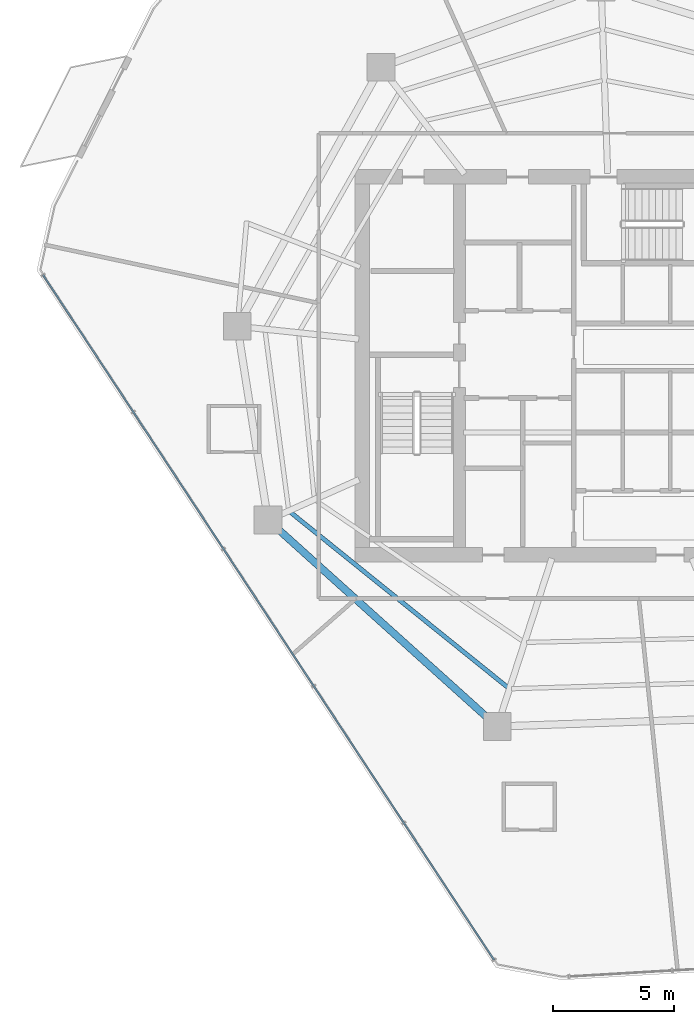
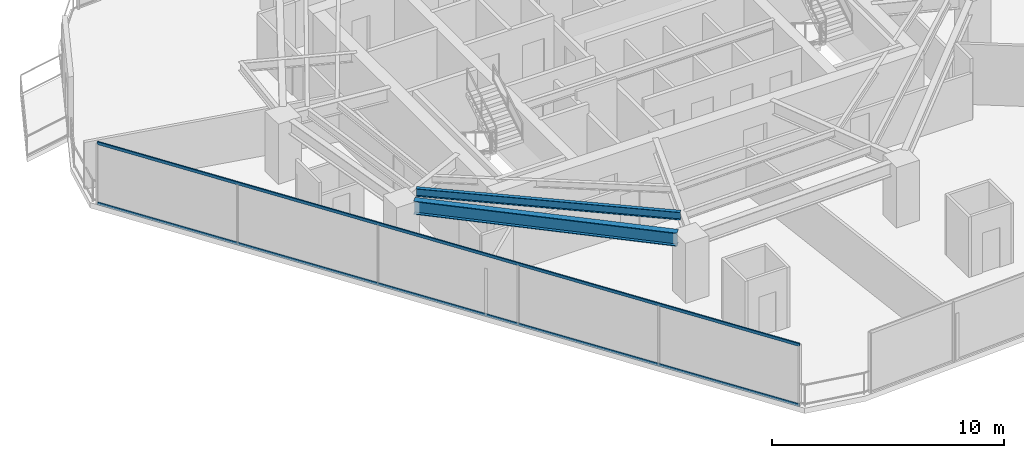
# One storey, part 3 of 30: 2 beams, 2 members, 1 element without a shape of its own.
"""IFC4 building model written with IfcOpenShell, lengths in metres."""

import ifcopenshell
import ifcopenshell.guid

model = None  # the IFC model being written
_history = None  # IfcOwnerHistory: only IFC2X3 demands one
_inside = {}  # id of a spatial element -> (the spatial element, [elements in it])
_under = {}  # id of a project, library or spatial element -> (it, [spatial elements below it])
_declared = {}  # id of a project -> (the project, [libraries it declares])
_typed = {}  # id of a type object -> (the type object, [elements of that type])
_made_of = {}  # id of a material, layer set ... -> (it, [elements and type objects made of it])


def new_model(schema):
    """Start an empty IFC model of exactly this schema.

    Asked for "IFC4X3", IfcOpenShell would pick the latest addendum, in which some entities
    have other attributes; the version numbers below select the first issue.
    IFC2X3 requires an IfcOwnerHistory on every rooted entity: one is made here for all.
    """
    global model, _history
    if schema == "IFC4X3":
        model = ifcopenshell.file(schema_version=(4, 3, 0, 0))
    else:
        model = ifcopenshell.file(schema=schema)
    _inside.clear()
    _under.clear()
    _declared.clear()
    _typed.clear()
    _made_of.clear()
    _history = None
    if model.schema == "IFC2X3":
        org = make("IfcOrganization", Name="unknown")
        user = make(
            "IfcPersonAndOrganization",
            ThePerson=make("IfcPerson", FamilyName="unknown"),
            TheOrganization=org,
        )
        app = make(
            "IfcApplication",
            ApplicationDeveloper=org,
            Version="unknown",
            ApplicationFullName="unknown",
            ApplicationIdentifier="unknown",
        )
        _history = make(
            "IfcOwnerHistory",
            OwningUser=user,
            OwningApplication=app,
            ChangeAction="ADDED",
            CreationDate=0,
        )
    return model


def make(cls, **values):
    """One entity of the class cls with the attributes given. An attribute that is None is left unset."""
    return model.create_entity(
        cls, **{name: value for name, value in values.items() if value is not None}
    )


def rooted(cls, **values):
    """An entity with a GlobalId (a new one), such as an element, a storey or a relation."""
    return make(cls, GlobalId=ifcopenshell.guid.new(), OwnerHistory=_history, **values)


def si_unit(unit_type, name, prefix=None):
    """IfcSIUnit, for example si_unit("LENGTHUNIT", "METRE", prefix="MILLI")."""
    return make("IfcSIUnit", UnitType=unit_type, Prefix=prefix, Name=name)


def assignment(units):
    """IfcUnitAssignment: the units of a project."""
    return None if units is None else make("IfcUnitAssignment", Units=units)


def point(xyz):
    """IfcCartesianPoint."""
    return None if xyz is None else make("IfcCartesianPoint", Coordinates=xyz)


def direction(xyz):
    """IfcDirection."""
    return None if xyz is None else make("IfcDirection", DirectionRatios=xyz)


def frame(location, z_axis=None, x_axis=None):
    """IfcAxis2Placement3D, a coordinate frame: its origin and axes. An axis left out is left unset."""
    return make(
        "IfcAxis2Placement3D",
        Location=point(location),
        Axis=direction(z_axis),
        RefDirection=direction(x_axis),
    )


def frame_2d(location, x_axis=None):
    """IfcAxis2Placement2D, a coordinate frame in the plane: its origin and x axis."""
    return make(
        "IfcAxis2Placement2D", Location=point(location), RefDirection=direction(x_axis)
    )


def origin():
    """The frame at (0, 0, 0) with its axes left unset."""
    return frame((0.0, 0.0, 0.0))


def origin_2d():
    """The frame at (0, 0) in the plane with its x axis left unset."""
    return frame_2d((0.0, 0.0))


def place(relative_to, where):
    """IfcLocalPlacement: puts the frame where relative to a parent placement (None: the world)."""
    return make(
        "IfcLocalPlacement", PlacementRelTo=relative_to, RelativePlacement=where
    )


def context(
    kind, dimensions, precision=None, world=None, true_north=None, identifier=None
):
    """IfcGeometricRepresentationContext, for example the 3D "Model" context."""
    return make(
        "IfcGeometricRepresentationContext",
        ContextIdentifier=identifier,
        ContextType=kind,
        CoordinateSpaceDimension=dimensions,
        Precision=precision,
        WorldCoordinateSystem=world,
        TrueNorth=true_north,
    )


def subcontext(parent, identifier, kind, view, scale=None):
    """IfcGeometricRepresentationSubContext, for example "Body" below "Model"."""
    return make(
        "IfcGeometricRepresentationSubContext",
        ContextIdentifier=identifier,
        ContextType=kind,
        ParentContext=parent,
        TargetScale=scale,
        TargetView=view,
    )


def project(units=None, contexts=None):
    """IfcProject with its units and contexts."""
    return rooted(
        "IfcProject",
        Name="project",
        RepresentationContexts=contexts,
        UnitsInContext=assignment(units),
    )


def spatial(cls, under=None, at=None, **own):
    """A site, building, storey or space (cls), placed at a placement, below another one or the project."""
    s = rooted(cls, ObjectPlacement=at, **own)
    if under is not None:
        _under.setdefault(under.id(), (under, []))[1].append(s)
    return s


def profile(cls, at=None, kind="AREA", **sizes):
    """A parametric profile (cls). Its sizes go by their IFC names, for example OverallWidth=200.0."""
    return make(cls, ProfileType=kind, Position=at, **sizes)


def hollow_rectangle(**sizes):
    """IfcRectangleHollowProfileDef."""
    return profile("IfcRectangleHollowProfileDef", **sizes)


def i_section(**sizes):
    """IfcIShapeProfileDef."""
    return profile("IfcIShapeProfileDef", **sizes)


def extrude(swept, where, along, depth):
    """IfcExtrudedAreaSolid: the profile swept, set in the frame where, extruded along a direction by depth."""
    return make(
        "IfcExtrudedAreaSolid",
        SweptArea=swept,
        Position=where,
        ExtrudedDirection=direction(along),
        Depth=depth,
    )


def shape(context_of_items, identifier, shape_type, items):
    """IfcShapeRepresentation: the items that make up one representation, for example the "Body"."""
    return make(
        "IfcShapeRepresentation",
        ContextOfItems=context_of_items,
        RepresentationIdentifier=identifier,
        RepresentationType=shape_type,
        Items=items,
    )


def material(Name=None, Category=None):
    """IfcMaterial."""
    return make("IfcMaterial", Name=Name, Category=Category)


def layer(
    of_material, thickness, ventilated=None, Name=None, Category=None, Priority=None
):
    """IfcMaterialLayer: one layer of a wall or slab, of a material (None: an air gap)."""
    return make(
        "IfcMaterialLayer",
        Material=of_material,
        LayerThickness=thickness,
        IsVentilated=ventilated,
        Name=Name,
        Category=Category,
        Priority=Priority,
    )


def layer_set(layers, Name=None):
    """IfcMaterialLayerSet."""
    return make("IfcMaterialLayerSet", MaterialLayers=layers, LayerSetName=Name)


def material_profile(
    of_material, cross_section, Name=None, Category=None, Priority=None
):
    """IfcMaterialProfile: a cross section and its material."""
    return make(
        "IfcMaterialProfile",
        Name=Name,
        Material=of_material,
        Profile=cross_section,
        Priority=Priority,
        Category=Category,
    )


def profile_set(profiles, Name=None, composite=None):
    """IfcMaterialProfileSet."""
    return make(
        "IfcMaterialProfileSet",
        Name=Name,
        MaterialProfiles=profiles,
        CompositeProfile=composite,
    )


def made_of(thing, what):
    """Note that an element or type object is made of a material, layer set ...; save() writes the relation."""
    if what is not None:
        _made_of.setdefault(what.id(), (what, []))[1].append(thing)
    return thing


def type_object(cls, material=None, **own):
    """A type object (cls), such as IfcWallType, which elements share."""
    return made_of(rooted(cls, **own), material)


def element(
    cls,
    number,
    at=None,
    inside=None,
    cuts=None,
    type_object=None,
    material=None,
    context=None,
    identifier="Body",
    shape_type=None,
    held_by="IfcProductDefinitionShape",
    body=None,
    shapes=None,
    **own,
):
    """One element of the class cls, such as IfcWall. Its Tag is "e" and its number.

    at: its placement. inside: the storey or other place that contains it. cuts: it is an
    opening in that element (IfcRelVoidsElement). A single representation is given by context,
    identifier, shape_type and body (its items); several are given by shapes. held_by: the class
    of the entity that holds the representations. save() writes the other relations.
    """
    e = rooted(cls, Tag="e%d" % number, ObjectPlacement=at, **own)
    if body is not None:
        shapes = [shape(context, identifier, shape_type, body)]
    if shapes is not None:
        e.Representation = make(held_by, Representations=shapes)
    if inside is not None:
        _inside.setdefault(inside.id(), (inside, []))[1].append(e)
    if cuts is not None:
        rooted(
            "IfcRelVoidsElement", RelatingBuildingElement=cuts, RelatedOpeningElement=e
        )
    if type_object is not None:
        _typed.setdefault(type_object.id(), (type_object, []))[1].append(e)
    return made_of(e, material)


def aggregate(whole, parts):
    """IfcRelAggregates: a whole, such as a stair, and the parts it consists of."""
    return rooted("IfcRelAggregates", RelatingObject=whole, RelatedObjects=parts)


def save(model, path):
    """Write the relations noted so far, then the file.

    IfcRelAggregates (storeys below a building ...), IfcRelContainedInSpatialStructure (elements
    in a storey), IfcRelDefinesByType, IfcRelAssociatesMaterial and IfcRelDeclares: one each for
    every whole, place, type object, material and project.
    """
    for whole, parts in _under.values():
        aggregate(whole, parts)
    for where, things in _inside.values():
        rooted(
            "IfcRelContainedInSpatialStructure",
            RelatedElements=things,
            RelatingStructure=where,
        )
    for kind, things in _typed.values():
        rooted("IfcRelDefinesByType", RelatedObjects=things, RelatingType=kind)
    for what, things in _made_of.values():
        rooted("IfcRelAssociatesMaterial", RelatedObjects=things, RelatingMaterial=what)
    for by, libraries in _declared.values():
        rooted("IfcRelDeclares", RelatingContext=by, RelatedDefinitions=libraries)
    model.write(path)


model = new_model("IFC4")

# Units and contexts
model_context = context("Model", 3, precision=1e-05, world=origin(), true_north=direction((0.0, 1.0)))
body_context = subcontext(model_context, "Body", "Model", "MODEL_VIEW")
ifc_project = project(units=[si_unit("LENGTHUNIT", "METRE"), si_unit("AREAUNIT", "SQUARE_METRE"), si_unit("VOLUMEUNIT", "CUBIC_METRE"), si_unit("PLANEANGLEUNIT", "RADIAN"), si_unit("MASSUNIT", "GRAM", prefix="KILO")], contexts=[model_context])

# Site, building, storey
site_placement = place(None, origin())
site = spatial("IfcSite", under=ifc_project, at=site_placement, CompositionType="ELEMENT")
building_placement = place(site_placement, origin())
building = spatial("IfcBuilding", under=site, at=building_placement, Name="Qarnah Convention Tower", CompositionType="ELEMENT")
storey_placement = place(building_placement, frame((0.0, 0.0, 79.800048828125)))
storey = spatial("IfcBuildingStorey", under=building, at=storey_placement, Name="L20", CompositionType="ELEMENT", Elevation=79.800048828125)

# Beams
ifc_material_1 = material(Name="Structural steel S355JR", Category="steel")
ifc_material_profile_1 = material_profile(ifc_material_1, i_section(OverallWidth=0.177978515625, OverallDepth=0.407958984375, WebThickness=0.008056640625, FlangeThickness=0.012939453125, at=origin_2d()), Name="W410X60")
ifc_profile_set_1 = profile_set([ifc_material_profile_1], Name="Structural steel S355JR")
beam_type_1 = type_object("IfcBeamType", Name="BM-JST-W410", PredefinedType="JOIST", material=ifc_profile_set_1)
beam_1_placement = place(storey_placement, frame((23.830078125, 20.361083984375, 2.966064453125), z_axis=(0.77852525416, -0.627613279524, 0.0), x_axis=(0.627613279524, 0.77852525416, 0.0)))
element("IfcBeam", 1, at=beam_1_placement, inside=storey, type_object=beam_type_1, Name="L20 joist BM-L20-SJST-06", PredefinedType="JOIST", context=body_context, shape_type="SweptSolid", body=[
    extrude(i_section(OverallWidth=0.177978515625, OverallDepth=0.407958984375, WebThickness=0.008056640625, FlangeThickness=0.012939453125, at=origin_2d()), origin(), (0.0, 0.0, 1.0), 11.521728515625),
])
ifc_material_profile_2 = material_profile(ifc_material_1, i_section(OverallWidth=0.300048828125, OverallDepth=0.699951171875, WebThickness=0.01708984375, FlangeThickness=0.031982421875, at=origin_2d()), Name="HEB700")
ifc_profile_set_2 = profile_set([ifc_material_profile_2], Name="Structural steel S355JR")
beam_type_2 = type_object("IfcBeamType", Name="BM-RING-HEB700", PredefinedType="BEAM", material=ifc_profile_set_2)
beam_2_placement = place(storey_placement, frame((23.322998046875, 19.656982421875, 2.820068359375), z_axis=(0.743124603424, -0.669153064541, 0.0), x_axis=(0.669153064541, 0.743124603424, 0.0)))
element("IfcBeam", 2, at=beam_2_placement, inside=storey, type_object=beam_type_2, Name="L20 beam BM-L20-SPN-06", PredefinedType="BEAM", context=body_context, shape_type="SweptSolid", body=[
    extrude(i_section(OverallWidth=0.300048828125, OverallDepth=0.699951171875, WebThickness=0.01708984375, FlangeThickness=0.031982421875, at=origin_2d()), origin(), (0.0, 0.0, 1.0), 11.60107421875),
])

# Curtain wall, members
ifc_material_2 = material(Name="Tempered Low-E dark glass", Category="glass")
ifc_layer = layer(ifc_material_2, 0.169921875)
ifc_layer_set = layer_set([ifc_layer], Name="Tempered Low-E dark glass")
curtain_wall_type = type_object("IfcCurtainWallType", Name="CWS-02", PredefinedType="NOTDEFINED", material=ifc_layer_set)
curtain_wall_placement = place(storey_placement, origin())
curtain_wall = element("IfcCurtainWall", 3, at=curtain_wall_placement, inside=storey, type_object=curtain_wall_type, Name="L20 unitised curtain wall CW-L20-F3", PredefinedType="NOTDEFINED")
ifc_material_3 = material(Name="Black anodised aluminium", Category="aluminium")
ifc_material_profile_3 = material_profile(ifc_material_3, hollow_rectangle(XDim=0.06494140625, YDim=0.14990234375, WallThickness=0.00390625, at=origin_2d()), Name="TRN-65X150")
ifc_profile_set_3 = profile_set([ifc_material_profile_3], Name="Black anodised aluminium")
member_type = type_object("IfcMemberType", Name="TRN-T2", PredefinedType="USERDEFINED", material=ifc_profile_set_3)
member_1_placement = place(storey_placement, frame((32.23388671875, 1.883056640625, 0.0), z_axis=(-0.549900247151, 0.8352303384, 0.0), x_axis=(-0.8352303384, -0.549900247151, 0.0)))
member_1 = element("IfcMember", 4, at=member_1_placement, type_object=member_type, Name="CW-L20-F3 transom 1", ObjectType="TRANSOM", PredefinedType="USERDEFINED", context=body_context, shape_type="SweptSolid", body=[
    extrude(hollow_rectangle(XDim=0.06494140625, YDim=0.14990234375, WallThickness=0.00390625, at=origin_2d()), origin(), (0.0, 0.0, 1.0), 33.845703125),
])
member_2_placement = place(storey_placement, frame((32.23388671875, 1.883056640625, 3.169921875), z_axis=(-0.549900247151, 0.8352303384, 0.0), x_axis=(-0.8352303384, -0.549900247151, 0.0)))
member_2 = element("IfcMember", 5, at=member_2_placement, type_object=member_type, Name="CW-L20-F3 transom 2", ObjectType="TRANSOM", PredefinedType="USERDEFINED", context=body_context, shape_type="SweptSolid", body=[
    extrude(hollow_rectangle(XDim=0.06494140625, YDim=0.14990234375, WallThickness=0.00390625, at=origin_2d()), origin(), (0.0, 0.0, 1.0), 33.845703125),
])
aggregate(curtain_wall, [member_1, member_2])

save(model, "model.ifc")
